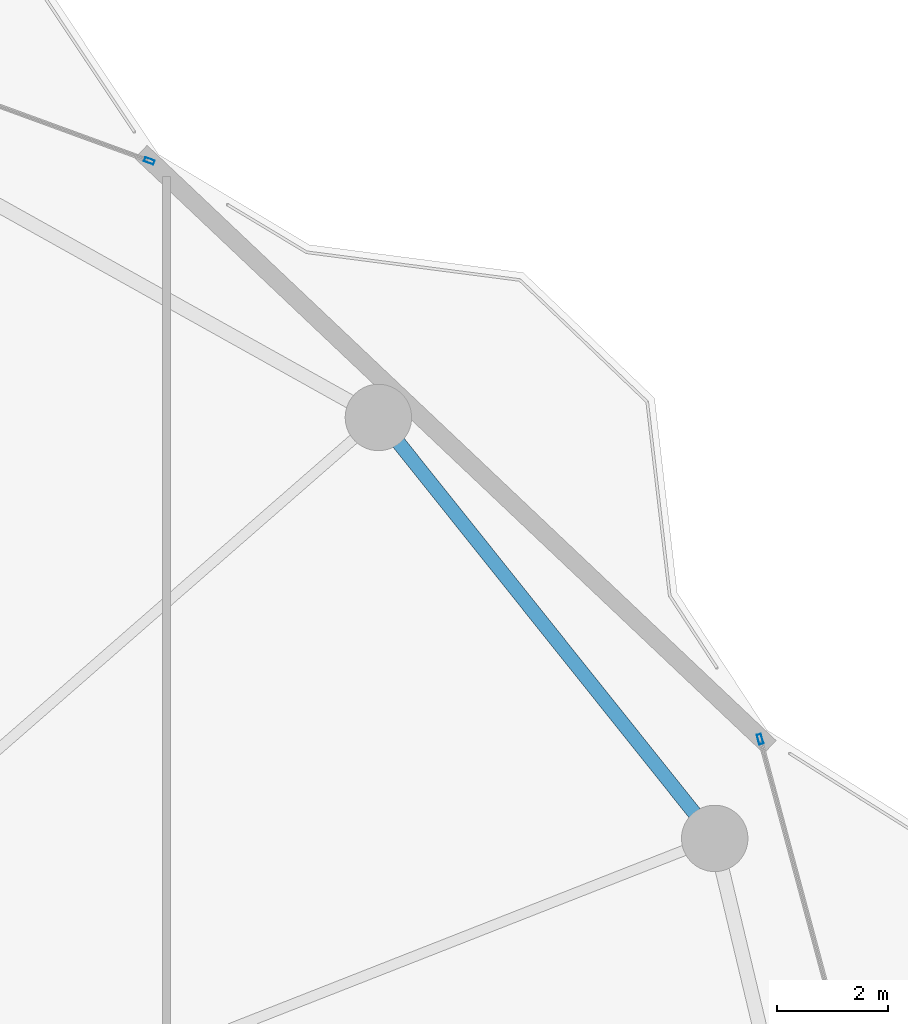
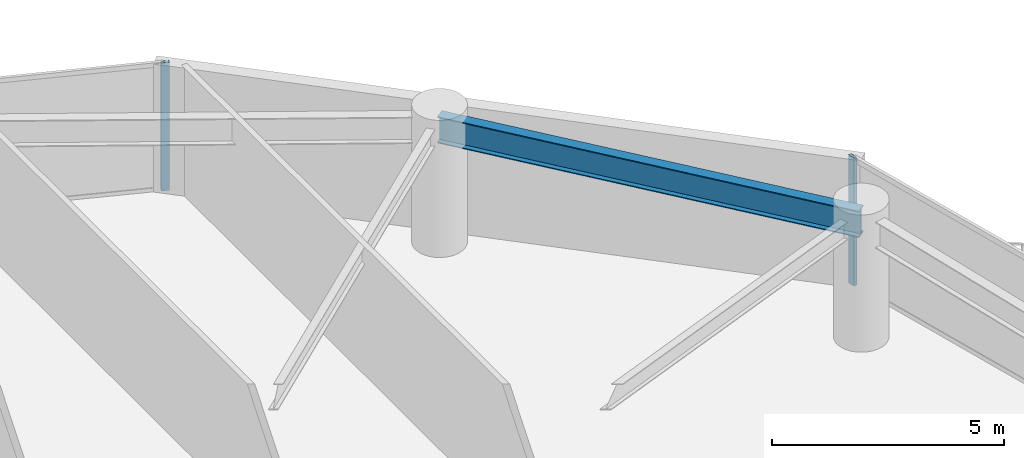
# One storey, part 21 of 28: 2 members, 1 beam, 2 elements without a shape of their own.
"""IFC4 building model written with IfcOpenShell, lengths in metres."""

from ifc_helpers import new_model, si_unit, direction, frame, origin, origin_2d, place, context, subcontext, project, spatial, hollow_rectangle, i_section, extrude, material, layer, layer_set, material_profile, profile_set, type_object, element, aggregate, save


model = new_model("IFC4")

# Units and contexts
model_context = context("Model", 3, precision=1e-05, world=origin(), true_north=direction((0.0, 1.0)))
body_context = subcontext(model_context, "Body", "Model", "MODEL_VIEW")
ifc_project = project(units=[si_unit("LENGTHUNIT", "METRE"), si_unit("AREAUNIT", "SQUARE_METRE"), si_unit("VOLUMEUNIT", "CUBIC_METRE"), si_unit("PLANEANGLEUNIT", "RADIAN"), si_unit("MASSUNIT", "GRAM", prefix="KILO")], contexts=[model_context])

# Site, building, storey
site_placement = place(None, origin())
site = spatial("IfcSite", under=ifc_project, at=site_placement, CompositionType="ELEMENT")
building_placement = place(site_placement, origin())
building = spatial("IfcBuilding", under=site, at=building_placement, Name="Kazevale Care Tower and Concert Hall", CompositionType="ELEMENT")
storey_placement = place(building_placement, frame((0.0, 0.0, 135.0)))
storey = spatial("IfcBuildingStorey", under=building, at=storey_placement, Name="L35", CompositionType="ELEMENT", Elevation=135.0)

# Curtain wall, member
ifc_material_1 = material(Name="Aluminium 6063-T6 and Low-E Glass", Category="aluminium")
ifc_layer_1 = layer(ifc_material_1, 0.179931640625)
ifc_layer_set_1 = layer_set([ifc_layer_1], Name="Aluminium 6063-T6 and Low-E Glass")
curtain_wall_type_1 = type_object("IfcCurtainWallType", Name="Convex Checkerboard Finned Curtain Wall CW-2", PredefinedType="NOTDEFINED", material=ifc_layer_set_1)
curtain_wall_1_placement = place(storey_placement, origin())
curtain_wall_1 = element("IfcCurtainWall", 1, at=curtain_wall_1_placement, inside=storey, type_object=curtain_wall_type_1, Name="cw:L35:f16", PredefinedType="NOTDEFINED")
ifc_material_2 = material(Name="Aluminium 6063-T6", Category="aluminium")
ifc_material_profile_1 = material_profile(ifc_material_2, hollow_rectangle(XDim=0.080078125, YDim=0.179931640625, WallThickness=0.0048828125, at=origin_2d()), Name="ALU80x180x5")
ifc_profile_set_1 = profile_set([ifc_material_profile_1], Name="Aluminium 6063-T6")
member_type_1 = type_object("IfcMemberType", Name="CW-2 Mullion ALU80x180x5", PredefinedType="MULLION", material=ifc_profile_set_1)
member_1_placement = place(storey_placement, frame((60.689453125, 59.2177734375, 0.0), z_axis=(0.0, 0.0, 1.0), x_axis=(0.343143453498, 0.939283008641, 0.0)))
member_1 = element("IfcMember", 2, at=member_1_placement, type_object=member_type_1, Name="CW-2 mullion 2", PredefinedType="MULLION", context=body_context, shape_type="SweptSolid", body=[
    extrude(hollow_rectangle(XDim=0.080078125, YDim=0.179931640625, WallThickness=0.0048828125, at=origin_2d()), origin(), (0.0, 0.0, 1.0), 3.360107421875),
])
aggregate(curtain_wall_1, [member_1])

ifc_layer_2 = layer(ifc_material_1, 0.179931640625)
ifc_layer_set_2 = layer_set([ifc_layer_2], Name="Aluminium 6063-T6 and Low-E Glass")
curtain_wall_type_2 = type_object("IfcCurtainWallType", Name="Waist & Upper Residential Curtain Wall CW-4", PredefinedType="NOTDEFINED", material=ifc_layer_set_2)
curtain_wall_2_placement = place(storey_placement, origin())
curtain_wall_2 = element("IfcCurtainWall", 3, at=curtain_wall_2_placement, inside=storey, type_object=curtain_wall_type_2, Name="cw:L35:f18", PredefinedType="NOTDEFINED")
ifc_material_profile_2 = material_profile(ifc_material_2, hollow_rectangle(XDim=0.080078125, YDim=0.179931640625, WallThickness=0.0048828125, at=origin_2d()), Name="ALU80x180x5")
ifc_profile_set_2 = profile_set([ifc_material_profile_2], Name="Aluminium 6063-T6")
member_type_2 = type_object("IfcMemberType", Name="CW-4 Mullion ALU80x180x5", PredefinedType="MULLION", material=ifc_profile_set_2)
member_2_placement = place(storey_placement, frame((71.73046875, 48.764404296875, 0.0), z_axis=(0.0, 0.0, 1.0), x_axis=(0.965806263229, 0.259264848961, 0.0)))
member_2 = element("IfcMember", 4, at=member_2_placement, type_object=member_type_2, Name="CW-4 mullion 1", PredefinedType="MULLION", context=body_context, shape_type="SweptSolid", body=[
    extrude(hollow_rectangle(XDim=0.080078125, YDim=0.179931640625, WallThickness=0.0048828125, at=origin_2d()), origin(), (0.0, 0.0, 1.0), 3.360107421875),
])
aggregate(curtain_wall_2, [member_2])

# Beam
ifc_material_3 = material(Name="Steel ASTM A572 Gr 50", Category="steel")
ifc_material_profile_3 = material_profile(ifc_material_3, i_section(OverallWidth=0.256103515625, OverallDepth=0.693115234375, WebThickness=0.014404296875, FlangeThickness=0.023681640625, at=origin_2d()), Name="W690x170")
ifc_profile_set_3 = profile_set([ifc_material_profile_3], Name="Steel ASTM A572 Gr 50")
beam_type = type_object("IfcBeamType", Name="Waist Ring Beam W690x170", PredefinedType="BEAM", material=ifc_profile_set_3)
beam_placement = place(storey_placement, frame((70.909912109375, 46.969970703125, 3.013427734375), z_axis=(-0.624178340034, 0.781281895242, 0.0), x_axis=(-0.781281895242, -0.624178340034, 0.0)))
element("IfcBeam", 5, at=beam_placement, inside=storey, type_object=beam_type, Name="beam:L35:ring:02", PredefinedType="BEAM", context=body_context, shape_type="SweptSolid", body=[
    extrude(i_section(OverallWidth=0.256103515625, OverallDepth=0.693115234375, WebThickness=0.014404296875, FlangeThickness=0.023681640625, at=origin_2d()), origin(), (0.0, 0.0, 1.0), 9.740478515625),
])

save(model, "model.ifc")
